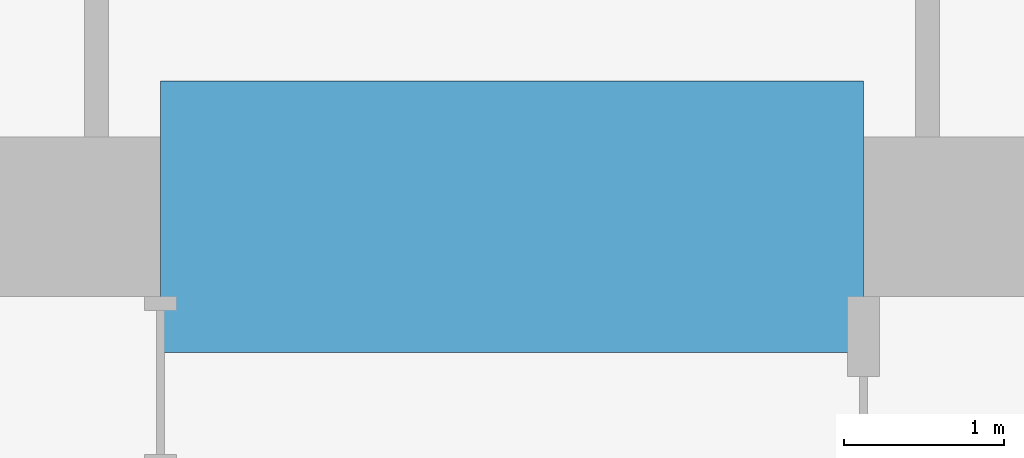
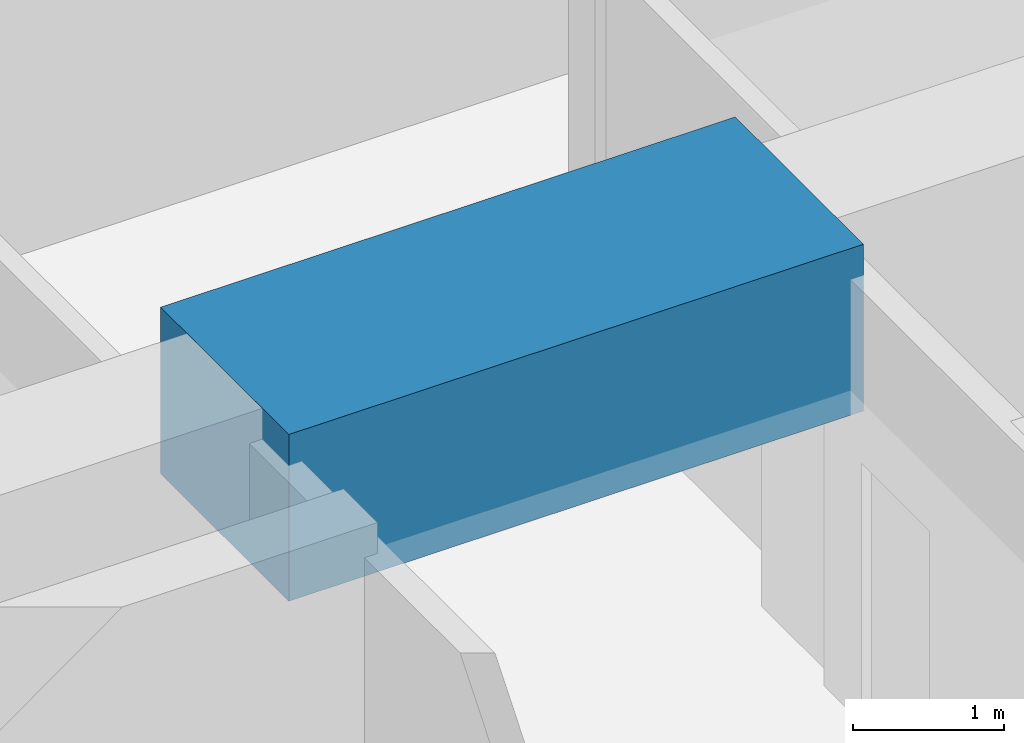
# One storey, part 18 of 40: 1 beam.
"""IFC4 building model written with IfcOpenShell, lengths in metres."""

import ifcopenshell
import ifcopenshell.guid

model = None  # the IFC model being written
_history = None  # IfcOwnerHistory: only IFC2X3 demands one
_inside = {}  # id of a spatial element -> (the spatial element, [elements in it])
_under = {}  # id of a project, library or spatial element -> (it, [spatial elements below it])
_declared = {}  # id of a project -> (the project, [libraries it declares])
_typed = {}  # id of a type object -> (the type object, [elements of that type])
_made_of = {}  # id of a material, layer set ... -> (it, [elements and type objects made of it])


def new_model(schema):
    """Start an empty IFC model of exactly this schema.

    Asked for "IFC4X3", IfcOpenShell would pick the latest addendum, in which some entities
    have other attributes; the version numbers below select the first issue.
    IFC2X3 requires an IfcOwnerHistory on every rooted entity: one is made here for all.
    """
    global model, _history
    if schema == "IFC4X3":
        model = ifcopenshell.file(schema_version=(4, 3, 0, 0))
    else:
        model = ifcopenshell.file(schema=schema)
    _inside.clear()
    _under.clear()
    _declared.clear()
    _typed.clear()
    _made_of.clear()
    _history = None
    if model.schema == "IFC2X3":
        org = make("IfcOrganization", Name="unknown")
        user = make(
            "IfcPersonAndOrganization",
            ThePerson=make("IfcPerson", FamilyName="unknown"),
            TheOrganization=org,
        )
        app = make(
            "IfcApplication",
            ApplicationDeveloper=org,
            Version="unknown",
            ApplicationFullName="unknown",
            ApplicationIdentifier="unknown",
        )
        _history = make(
            "IfcOwnerHistory",
            OwningUser=user,
            OwningApplication=app,
            ChangeAction="ADDED",
            CreationDate=0,
        )
    return model


def make(cls, **values):
    """One entity of the class cls with the attributes given. An attribute that is None is left unset."""
    return model.create_entity(
        cls, **{name: value for name, value in values.items() if value is not None}
    )


def rooted(cls, **values):
    """An entity with a GlobalId (a new one), such as an element, a storey or a relation."""
    return make(cls, GlobalId=ifcopenshell.guid.new(), OwnerHistory=_history, **values)


def si_unit(unit_type, name, prefix=None):
    """IfcSIUnit, for example si_unit("LENGTHUNIT", "METRE", prefix="MILLI")."""
    return make("IfcSIUnit", UnitType=unit_type, Prefix=prefix, Name=name)


def assignment(units):
    """IfcUnitAssignment: the units of a project."""
    return None if units is None else make("IfcUnitAssignment", Units=units)


def point(xyz):
    """IfcCartesianPoint."""
    return None if xyz is None else make("IfcCartesianPoint", Coordinates=xyz)


def direction(xyz):
    """IfcDirection."""
    return None if xyz is None else make("IfcDirection", DirectionRatios=xyz)


def frame(location, z_axis=None, x_axis=None):
    """IfcAxis2Placement3D, a coordinate frame: its origin and axes. An axis left out is left unset."""
    return make(
        "IfcAxis2Placement3D",
        Location=point(location),
        Axis=direction(z_axis),
        RefDirection=direction(x_axis),
    )


def frame_2d(location, x_axis=None):
    """IfcAxis2Placement2D, a coordinate frame in the plane: its origin and x axis."""
    return make(
        "IfcAxis2Placement2D", Location=point(location), RefDirection=direction(x_axis)
    )


def origin():
    """The frame at (0, 0, 0) with its axes left unset."""
    return frame((0.0, 0.0, 0.0))


def origin_2d():
    """The frame at (0, 0) in the plane with its x axis left unset."""
    return frame_2d((0.0, 0.0))


def place(relative_to, where):
    """IfcLocalPlacement: puts the frame where relative to a parent placement (None: the world)."""
    return make(
        "IfcLocalPlacement", PlacementRelTo=relative_to, RelativePlacement=where
    )


def context(
    kind, dimensions, precision=None, world=None, true_north=None, identifier=None
):
    """IfcGeometricRepresentationContext, for example the 3D "Model" context."""
    return make(
        "IfcGeometricRepresentationContext",
        ContextIdentifier=identifier,
        ContextType=kind,
        CoordinateSpaceDimension=dimensions,
        Precision=precision,
        WorldCoordinateSystem=world,
        TrueNorth=true_north,
    )


def subcontext(parent, identifier, kind, view, scale=None):
    """IfcGeometricRepresentationSubContext, for example "Body" below "Model"."""
    return make(
        "IfcGeometricRepresentationSubContext",
        ContextIdentifier=identifier,
        ContextType=kind,
        ParentContext=parent,
        TargetScale=scale,
        TargetView=view,
    )


def project(units=None, contexts=None):
    """IfcProject with its units and contexts."""
    return rooted(
        "IfcProject",
        Name="project",
        RepresentationContexts=contexts,
        UnitsInContext=assignment(units),
    )


def spatial(cls, under=None, at=None, **own):
    """A site, building, storey or space (cls), placed at a placement, below another one or the project."""
    s = rooted(cls, ObjectPlacement=at, **own)
    if under is not None:
        _under.setdefault(under.id(), (under, []))[1].append(s)
    return s


def profile(cls, at=None, kind="AREA", **sizes):
    """A parametric profile (cls). Its sizes go by their IFC names, for example OverallWidth=200.0."""
    return make(cls, ProfileType=kind, Position=at, **sizes)


def rectangle(**sizes):
    """IfcRectangleProfileDef."""
    return profile("IfcRectangleProfileDef", **sizes)


def extrude(swept, where, along, depth):
    """IfcExtrudedAreaSolid: the profile swept, set in the frame where, extruded along a direction by depth."""
    return make(
        "IfcExtrudedAreaSolid",
        SweptArea=swept,
        Position=where,
        ExtrudedDirection=direction(along),
        Depth=depth,
    )


def shape(context_of_items, identifier, shape_type, items):
    """IfcShapeRepresentation: the items that make up one representation, for example the "Body"."""
    return make(
        "IfcShapeRepresentation",
        ContextOfItems=context_of_items,
        RepresentationIdentifier=identifier,
        RepresentationType=shape_type,
        Items=items,
    )


def material(Name=None, Category=None):
    """IfcMaterial."""
    return make("IfcMaterial", Name=Name, Category=Category)


def material_profile(
    of_material, cross_section, Name=None, Category=None, Priority=None
):
    """IfcMaterialProfile: a cross section and its material."""
    return make(
        "IfcMaterialProfile",
        Name=Name,
        Material=of_material,
        Profile=cross_section,
        Priority=Priority,
        Category=Category,
    )


def profile_set(profiles, Name=None, composite=None):
    """IfcMaterialProfileSet."""
    return make(
        "IfcMaterialProfileSet",
        Name=Name,
        MaterialProfiles=profiles,
        CompositeProfile=composite,
    )


def made_of(thing, what):
    """Note that an element or type object is made of a material, layer set ...; save() writes the relation."""
    if what is not None:
        _made_of.setdefault(what.id(), (what, []))[1].append(thing)
    return thing


def type_object(cls, material=None, **own):
    """A type object (cls), such as IfcWallType, which elements share."""
    return made_of(rooted(cls, **own), material)


def element(
    cls,
    number,
    at=None,
    inside=None,
    cuts=None,
    type_object=None,
    material=None,
    context=None,
    identifier="Body",
    shape_type=None,
    held_by="IfcProductDefinitionShape",
    body=None,
    shapes=None,
    **own,
):
    """One element of the class cls, such as IfcWall. Its Tag is "e" and its number.

    at: its placement. inside: the storey or other place that contains it. cuts: it is an
    opening in that element (IfcRelVoidsElement). A single representation is given by context,
    identifier, shape_type and body (its items); several are given by shapes. held_by: the class
    of the entity that holds the representations. save() writes the other relations.
    """
    e = rooted(cls, Tag="e%d" % number, ObjectPlacement=at, **own)
    if body is not None:
        shapes = [shape(context, identifier, shape_type, body)]
    if shapes is not None:
        e.Representation = make(held_by, Representations=shapes)
    if inside is not None:
        _inside.setdefault(inside.id(), (inside, []))[1].append(e)
    if cuts is not None:
        rooted(
            "IfcRelVoidsElement", RelatingBuildingElement=cuts, RelatedOpeningElement=e
        )
    if type_object is not None:
        _typed.setdefault(type_object.id(), (type_object, []))[1].append(e)
    return made_of(e, material)


def aggregate(whole, parts):
    """IfcRelAggregates: a whole, such as a stair, and the parts it consists of."""
    return rooted("IfcRelAggregates", RelatingObject=whole, RelatedObjects=parts)


def save(model, path):
    """Write the relations noted so far, then the file.

    IfcRelAggregates (storeys below a building ...), IfcRelContainedInSpatialStructure (elements
    in a storey), IfcRelDefinesByType, IfcRelAssociatesMaterial and IfcRelDeclares: one each for
    every whole, place, type object, material and project.
    """
    for whole, parts in _under.values():
        aggregate(whole, parts)
    for where, things in _inside.values():
        rooted(
            "IfcRelContainedInSpatialStructure",
            RelatedElements=things,
            RelatingStructure=where,
        )
    for kind, things in _typed.values():
        rooted("IfcRelDefinesByType", RelatedObjects=things, RelatingType=kind)
    for what, things in _made_of.values():
        rooted("IfcRelAssociatesMaterial", RelatedObjects=things, RelatingMaterial=what)
    for by, libraries in _declared.values():
        rooted("IfcRelDeclares", RelatingContext=by, RelatedDefinitions=libraries)
    model.write(path)


model = new_model("IFC4")

# Units and contexts
model_context = context("Model", 3, precision=1e-05, world=origin(), true_north=direction((0.0, 1.0)))
body_context = subcontext(model_context, "Body", "Model", "MODEL_VIEW")
ifc_project = project(units=[si_unit("LENGTHUNIT", "METRE"), si_unit("AREAUNIT", "SQUARE_METRE"), si_unit("VOLUMEUNIT", "CUBIC_METRE"), si_unit("PLANEANGLEUNIT", "RADIAN"), si_unit("MASSUNIT", "GRAM", prefix="KILO")], contexts=[model_context])

# Site, building, storey
site_placement = place(None, origin())
site = spatial("IfcSite", under=ifc_project, at=site_placement, CompositionType="ELEMENT")
building_placement = place(site_placement, origin())
building = spatial("IfcBuilding", under=site, at=building_placement, Name="Rekha Terrace Tower", CompositionType="ELEMENT")
storey_placement = place(building_placement, frame((0.0, 0.0, 106.550048828125)))
storey = spatial("IfcBuildingStorey", under=building, at=storey_placement, Name="L26", CompositionType="ELEMENT", Elevation=106.550048828125)

# Beam
ifc_material = material(Name="Concrete M70", Category="concrete")
ifc_material_profile = material_profile(ifc_material, rectangle(XDim=1.699951171875, YDim=1.35009765625, at=origin_2d()), Name="RC 1700x1350")
ifc_profile_set = profile_set([ifc_material_profile], Name="Concrete M70")
beam_type = type_object("IfcBeamType", Name="LB2A 1700x1350 diagonally reinforced coupling beam", PredefinedType="LINTEL", material=ifc_profile_set)
beam_placement = place(storey_placement, frame((35.60009765625, 46.199951171875, 3.074951171875), z_axis=(1.0, 0.0, 0.0), x_axis=(0.0, 1.0, 0.0)))
element("IfcBeam", 1, at=beam_placement, inside=storey, type_object=beam_type, Name="Coupling beam LB2A N L26", PredefinedType="LINTEL", context=body_context, shape_type="SweptSolid", body=[
    extrude(rectangle(XDim=1.699951171875, YDim=1.35009765625, at=origin_2d()), origin(), (0.0, 0.0, 1.0), 4.39990234375),
])

save(model, "model.ifc")
